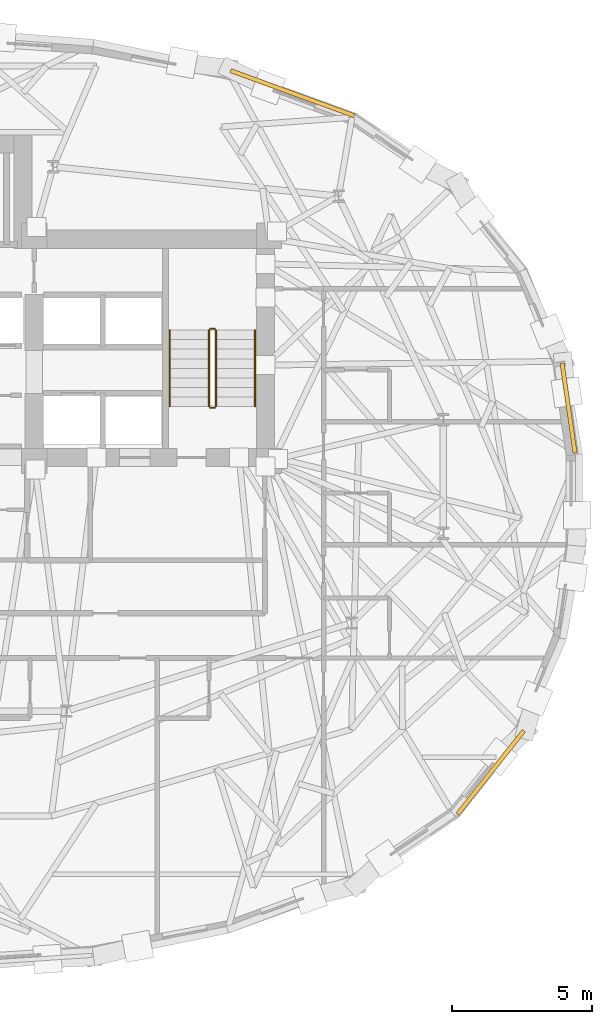
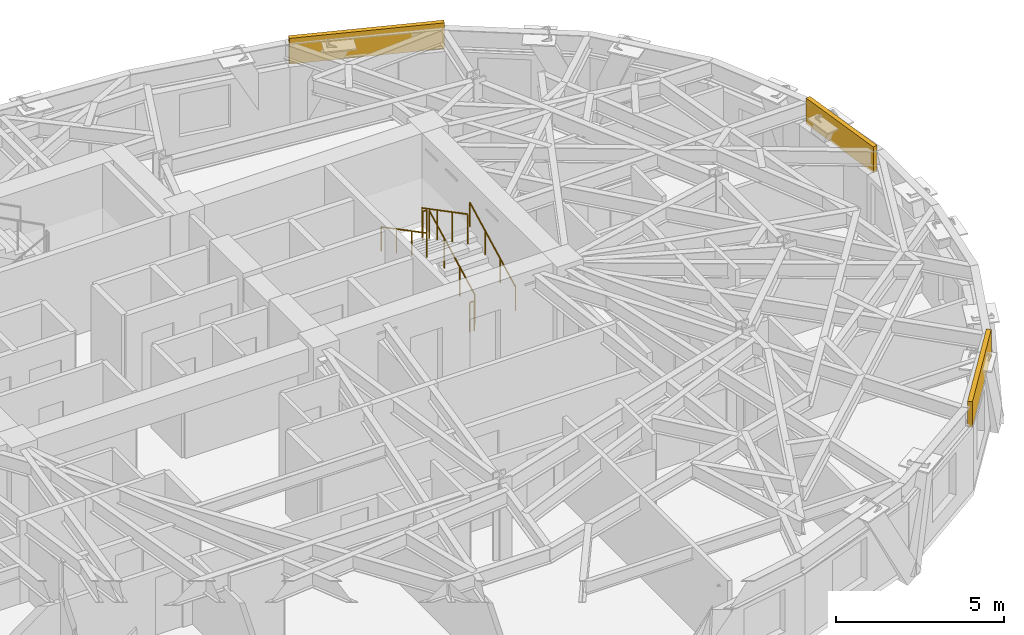
# One storey, part 14 of 15: 6 railings, 3 coverings.
"""IFC4 building model written with IfcOpenShell, lengths in metres."""

from ifc_helpers import new_model, si_unit, direction, frame, origin, origin_2d, place, context, subcontext, project, spatial, rectangle, circle, extrude, material, layer, layer_set, type_object, element, save


model = new_model("IFC4")

# Units and contexts
model_context = context("Model", 3, precision=1e-05, world=origin(), true_north=direction((0.0, 1.0)))
body_context = subcontext(model_context, "Body", "Model", "MODEL_VIEW")
ifc_project = project(units=[si_unit("LENGTHUNIT", "METRE"), si_unit("AREAUNIT", "SQUARE_METRE"), si_unit("VOLUMEUNIT", "CUBIC_METRE"), si_unit("PLANEANGLEUNIT", "RADIAN"), si_unit("MASSUNIT", "GRAM", prefix="KILO")], contexts=[model_context])

# Site, building, storey
site_placement = place(None, origin())
site = spatial("IfcSite", under=ifc_project, at=site_placement, CompositionType="ELEMENT")
building_placement = place(site_placement, origin())
building = spatial("IfcBuilding", under=site, at=building_placement, Name="Keldmark Tower", CompositionType="ELEMENT")
storey_placement = place(building_placement, frame((0.0, 0.0, 147.0)))
storey = spatial("IfcBuildingStorey", under=building, at=storey_placement, Name="L39", CompositionType="ELEMENT", Elevation=147.0)

# Coverings
ifc_material_1 = material(Name="Honed Kasota Buff Dolomitic Limestone", Category="masonry")
ifc_layer = layer(ifc_material_1, 0.074951171875)
ifc_layer_set = layer_set([ifc_layer], Name="Honed Kasota Buff Dolomitic Limestone")
covering_type = type_object("IfcCoveringType", Name="Kasota Buff Limestone Spandrel Cladding Band", PredefinedType="CLADDING", material=ifc_layer_set)
covering_1_placement = place(storey_placement, frame((24.305908203125, 3.292724609375, 2.239013671875), z_axis=(0.0, 0.0, 1.0), x_axis=(-0.142352530482, 0.989816021827, 0.0)))
element("IfcCovering", 1, at=covering_1_placement, inside=storey, type_object=covering_type, Name="L39 Kasota Limestone Spandrel Band 01", PredefinedType="CLADDING", context=body_context, shape_type="SweptSolid", body=[
    extrude(rectangle(XDim=3.2392578125, YDim=0.14990234375, at=origin_2d()), origin(), (0.0, 0.0, 1.0), 0.94091796875),
])
covering_2_placement = place(storey_placement, frame((14.431884765625, 14.5458984375, 2.239013671875), z_axis=(0.0, 0.0, 1.0), x_axis=(-0.939351901311, 0.342954815543, 0.0)))
element("IfcCovering", 2, at=covering_2_placement, inside=storey, type_object=covering_type, Name="L39 Kasota Limestone Spandrel Band 05", PredefinedType="CLADDING", context=body_context, shape_type="SweptSolid", body=[
    extrude(rectangle(XDim=4.70361328125, YDim=0.14990234375, at=origin_2d()), origin(), (0.0, 0.0, 1.0), 0.94091796875),
])
covering_3_placement = place(storey_placement, frame((21.526123046875, -9.739501953125, 2.239013671875), z_axis=(0.0, 0.0, 1.0), x_axis=(0.622145772126, 0.782901423058, 0.0)))
element("IfcCovering", 3, at=covering_3_placement, inside=storey, type_object=covering_type, Name="L39 Kasota Limestone Spandrel Band 29", PredefinedType="CLADDING", context=body_context, shape_type="SweptSolid", body=[
    extrude(rectangle(XDim=3.802978515625, YDim=0.14990234375, at=origin_2d()), origin(), (0.0, 0.0, 1.0), 0.94091796875),
])

# Railings
ifc_material_2 = material(Name="Painted Steel ASTM A500 Grade B", Category="steel")
railing_type_1 = type_object("IfcRailingType", Name="Painted Steel Stair Well Guard 1100 mm", PredefinedType="GUARDRAIL", material=ifc_material_2)
railing_1_placement = place(storey_placement, frame((11.699951171875, 3.35009765625, 0.177734375)))
element("IfcRailing", 4, at=railing_1_placement, inside=storey, type_object=railing_type_1, Name="L39 ST2 stair guard 1", PredefinedType="GUARDRAIL", context=body_context, shape_type="SweptSolid", body=[
    extrude(circle(Radius=0.02392578125, at=origin_2d()), frame((0.0, 0.0, 1.076171875), z_axis=(0.0, 0.886150474775, 0.463397600399), x_axis=(-1.0, 0.0, 0.0)), (0.0, 0.0, 1.0), 3.0693359375),
    extrude(circle(Radius=0.02099609375, at=origin_2d()), origin(), (0.0, 0.0, 1.0), 1.052001953125),
    extrude(circle(Radius=0.02099609375, at=origin_2d()), frame((0.0, 0.90673828125, 0.47412109375)), (0.0, 0.0, 1.0), 1.052001953125),
    extrude(circle(Radius=0.02099609375, at=origin_2d()), frame((0.0, 1.813232421875, 0.9482421875)), (0.0, 0.0, 1.0), 1.052001953125),
    extrude(circle(Radius=0.02099609375, at=origin_2d()), frame((0.0, 2.719970703125, 1.42236328125)), (0.0, 0.0, 1.0), 1.052001953125),
])
railing_2_placement = place(storey_placement, frame((11.64990234375, 6.1201171875, 1.60009765625)))
element("IfcRailing", 5, at=railing_2_placement, inside=storey, type_object=railing_type_1, Name="L39 ST2 stair guard 2", PredefinedType="GUARDRAIL", context=body_context, shape_type="SweptSolid", body=[
    extrude(circle(Radius=0.02392578125, at=origin_2d()), frame((0.0, 0.0, 1.076171875), z_axis=(-1.0, 0.0, 0.0), x_axis=(0.0, -1.0, 0.0)), (0.0, 0.0, 1.0), 0.14990234375),
    extrude(circle(Radius=0.02099609375, at=origin_2d()), origin(), (0.0, 0.0, 1.0), 1.052001953125),
    extrude(circle(Radius=0.02099609375, at=origin_2d()), frame((-0.14990234375, 0.0, 0.0)), (0.0, 0.0, 1.0), 1.052001953125),
])
railing_3_placement = place(storey_placement, frame((11.449951171875, 6.070068359375, 1.77783203125)))
element("IfcRailing", 6, at=railing_3_placement, inside=storey, type_object=railing_type_1, Name="L39 ST2 stair guard 3", PredefinedType="GUARDRAIL", context=body_context, shape_type="SweptSolid", body=[
    extrude(circle(Radius=0.02392578125, at=origin_2d()), frame((0.0, 0.0, 1.076171875), z_axis=(0.0, -0.886183135912, 0.463335137482), x_axis=(1.0, 0.0, 0.0)), (0.0, 0.0, 1.0), 3.0693359375),
    extrude(circle(Radius=0.02099609375, at=origin_2d()), origin(), (0.0, 0.0, 1.0), 1.052001953125),
    extrude(circle(Radius=0.02099609375, at=origin_2d()), frame((0.0, -0.90673828125, 0.47412109375)), (0.0, 0.0, 1.0), 1.052001953125),
    extrude(circle(Radius=0.02099609375, at=origin_2d()), frame((0.0, -1.813232421875, 0.947998046875)), (0.0, 0.0, 1.0), 1.052001953125),
    extrude(circle(Radius=0.02099609375, at=origin_2d()), frame((0.0, -2.719970703125, 1.422119140625)), (0.0, 0.0, 1.0), 1.052001953125),
])
railing_4_placement = place(storey_placement, frame((11.64990234375, 3.300048828125, 0.0)))
element("IfcRailing", 7, at=railing_4_placement, inside=storey, type_object=railing_type_1, Name="L39 ST2 stair guard 4", PredefinedType="GUARDRAIL", context=body_context, shape_type="SweptSolid", body=[
    extrude(circle(Radius=0.02392578125, at=origin_2d()), frame((0.0, 0.0, 1.076171875), z_axis=(-1.0, 0.0, 0.0), x_axis=(0.0, -1.0, 0.0)), (0.0, 0.0, 1.0), 0.14990234375),
    extrude(circle(Radius=0.02099609375, at=origin_2d()), origin(), (0.0, 0.0, 1.0), 1.052001953125),
    extrude(circle(Radius=0.02099609375, at=origin_2d()), frame((-0.14990234375, 0.0, 0.0)), (0.0, 0.0, 1.0), 1.052001953125),
])
ifc_material_3 = material(Name="Stainless Steel AISI 316L", Category="steel")
railing_type_2 = type_object("IfcRailingType", Name="Stainless Steel Stair Handrail 900 mm", PredefinedType="HANDRAIL", material=ifc_material_3)
railing_5_placement = place(storey_placement, frame((13.10009765625, 3.35009765625, 0.177734375)))
element("IfcRailing", 8, at=railing_5_placement, inside=storey, type_object=railing_type_2, Name="L39 ST2 stair handrail 1", PredefinedType="HANDRAIL", context=body_context, shape_type="SweptSolid", body=[
    extrude(circle(Radius=0.02392578125, at=origin_2d()), frame((0.0, 0.0, 0.8759765625), z_axis=(0.0, 0.886150474775, 0.463397600399), x_axis=(-1.0, 0.0, 0.0)), (0.0, 0.0, 1.0), 3.0693359375),
    extrude(circle(Radius=0.02099609375, at=origin_2d()), origin(), (0.0, 0.0, 1.0), 0.851806640625),
    extrude(circle(Radius=0.02099609375, at=origin_2d()), frame((0.0, 0.90673828125, 0.47412109375)), (0.0, 0.0, 1.0), 0.851806640625),
    extrude(circle(Radius=0.02099609375, at=origin_2d()), frame((0.0, 1.813232421875, 0.9482421875)), (0.0, 0.0, 1.0), 0.851806640625),
    extrude(circle(Radius=0.02099609375, at=origin_2d()), frame((0.0, 2.719970703125, 1.42236328125)), (0.0, 0.0, 1.0), 0.851806640625),
])
railing_6_placement = place(storey_placement, frame((10.050048828125, 6.070068359375, 1.77783203125)))
element("IfcRailing", 9, at=railing_6_placement, inside=storey, type_object=railing_type_2, Name="L39 ST2 stair handrail 2", PredefinedType="HANDRAIL", context=body_context, shape_type="SweptSolid", body=[
    extrude(circle(Radius=0.02392578125, at=origin_2d()), frame((0.0, 0.0, 0.8759765625), z_axis=(0.0, -0.886183135912, 0.463335137482), x_axis=(1.0, 0.0, 0.0)), (0.0, 0.0, 1.0), 3.0693359375),
    extrude(circle(Radius=0.02099609375, at=origin_2d()), origin(), (0.0, 0.0, 1.0), 0.851806640625),
    extrude(circle(Radius=0.02099609375, at=origin_2d()), frame((0.0, -0.90673828125, 0.47412109375)), (0.0, 0.0, 1.0), 0.851806640625),
    extrude(circle(Radius=0.02099609375, at=origin_2d()), frame((0.0, -1.813232421875, 0.947998046875)), (0.0, 0.0, 1.0), 0.851806640625),
    extrude(circle(Radius=0.02099609375, at=origin_2d()), frame((0.0, -2.719970703125, 1.422119140625)), (0.0, 0.0, 1.0), 0.851806640625),
])

save(model, "model.ifc")
